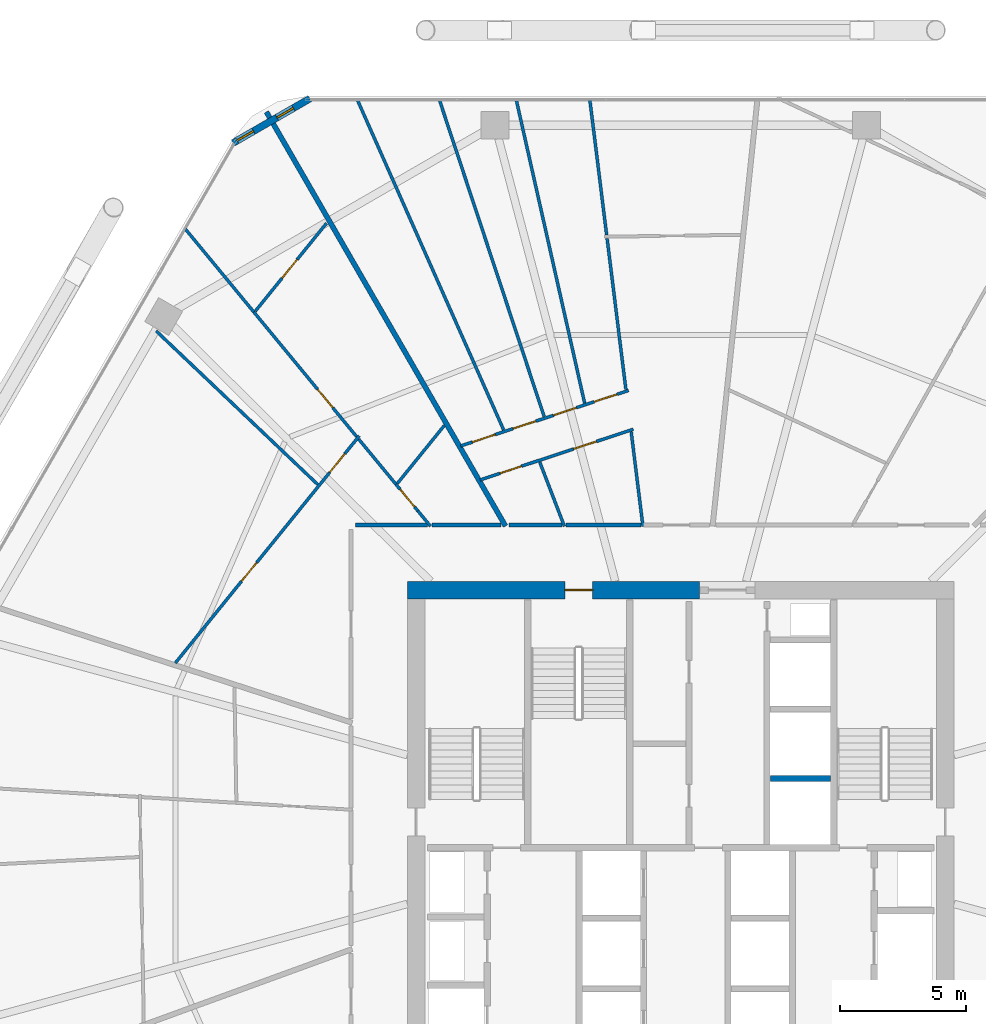
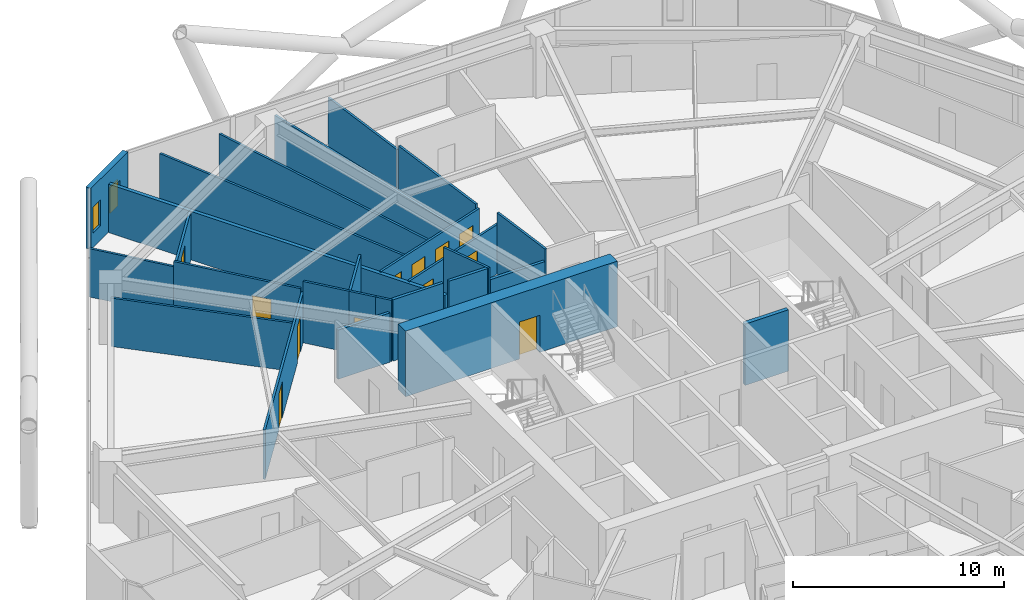
# One storey, part 29 of 34: 26 walls, 12 doors, 2 windows, 14 openings.
"""IFC4 building model written with IfcOpenShell, lengths in metres."""

from ifc_helpers import new_model, si_unit, direction, frame, frame_2d, origin, place, context, subcontext, project, spatial, rectangle, extrude, material, layer, layer_set, type_object, element, fill, save


model = new_model("IFC4")

# Units and contexts
model_context = context("Model", 3, precision=1e-05, world=origin(), true_north=direction((0.0, 1.0)))
body_context = subcontext(model_context, "Body", "Model", "MODEL_VIEW")
ifc_project = project(units=[si_unit("LENGTHUNIT", "METRE"), si_unit("AREAUNIT", "SQUARE_METRE"), si_unit("VOLUMEUNIT", "CUBIC_METRE"), si_unit("PLANEANGLEUNIT", "RADIAN"), si_unit("MASSUNIT", "GRAM", prefix="KILO")], contexts=[model_context])

# Site, building, storey
site_placement = place(None, origin())
site = spatial("IfcSite", under=ifc_project, at=site_placement, CompositionType="ELEMENT")
building_placement = place(site_placement, origin())
building = spatial("IfcBuilding", under=site, at=building_placement, Name="Zuhravey Tower", CompositionType="ELEMENT")
storey_placement = place(building_placement, frame((0.0, 0.0, 100.0)))
storey = spatial("IfcBuildingStorey", under=building, at=storey_placement, Name="L24", CompositionType="ELEMENT", Elevation=100.0)

# Wall, opening, door
ifc_material_1 = material(Name="Concrete C60/75", Category="concrete")
ifc_layer_1 = layer(ifc_material_1, 0.699951171875)
ifc_layer_set_1 = layer_set([ifc_layer_1], Name="Concrete C60/75")
wall_type_1 = type_object("IfcWallType", Name="Core Shear Wall 700", PredefinedType="SHEAR", material=ifc_layer_set_1)
wall_1_placement = place(storey_placement, frame((36.75, 41.5, 0.0), z_axis=(0.0, 0.0, 1.0), x_axis=(-1.0, 0.0, 0.0)))
wall_1 = element("IfcWall", 1, at=wall_1_placement, inside=storey, type_object=wall_type_1, Name="L24 North-West Core Shear Wall CW70", PredefinedType="SHEAR", context=body_context, shape_type="SweptSolid", body=[
    extrude(rectangle(XDim=11.60009765625, YDim=0.699951171875, at=frame_2d((5.800048828125, 0.0))), origin(), (0.0, 0.0, 1.0), 3.800048828125),
])
opening_1_placement = place(wall_1_placement, frame((4.25, 0.0, 0.0)))
opening_1 = element("IfcOpeningElement", 2, at=opening_1_placement, cuts=wall_1, Name="Opening STD1", PredefinedType="OPENING", context=body_context, shape_type="SweptSolid", body=[
    extrude(rectangle(XDim=1.10009765625, YDim=2.14990234375, at=frame_2d((0.550048828125, 1.074951171875))), frame((0.0, 0.362060546875, 0.0), z_axis=(0.0, -1.0, 0.0), x_axis=(1.0, 0.0, 0.0)), (0.0, 0.0, 1.0), 0.723876953125),
])
ifc_material_2 = material(Name="Galvanised fire-rated steel leaf", Category="steel")
door_type_1 = type_object("IfcDoorType", Name="Protected Stair Fire Door 1100x2150", OperationType="NOTDEFINED", PredefinedType="USERDEFINED", material=ifc_material_2)
door_1_placement = place(opening_1_placement, origin())
door_1 = element("IfcDoor", 3, at=door_1_placement, inside=storey, type_object=door_type_1, Name="L24 Stair ST3 Door", ObjectType="EXITDOOR", OperationType="SINGLE_SWING_RIGHT", OverallHeight=2.14990234375, OverallWidth=1.10009765625, PredefinedType="USERDEFINED", context=body_context, shape_type="SweptSolid", body=[
    extrude(rectangle(XDim=1.10009765625, YDim=2.14990234375, at=frame_2d((0.550048828125, 1.074951171875))), frame((0.0, 0.02490234375, 0.0), z_axis=(0.0, -1.0, 0.0), x_axis=(1.0, 0.0, 0.0)), (0.0, 0.0, 1.0), 0.050048828125),
])
fill(opening_1, door_1)

# Walls
ifc_material_3 = material(Name="Gypsum fire-rated stud partition")
ifc_layer_2 = layer(ifc_material_3, 0.159912109375)
ifc_layer_set_2 = layer_set([ifc_layer_2], Name="Gypsum fire-rated stud partition")
wall_type_2 = type_object("IfcWallType", Name="Corridor Fire Partition 160", PredefinedType="PARTITIONING", material=ifc_layer_set_2)
wall_2_placement = place(storey_placement, frame((34.427001953125, 44.080078125, 0.0), z_axis=(0.0, 0.0, 1.0), x_axis=(-1.0, 0.0, 0.0)))
element("IfcWall", 4, at=wall_2_placement, inside=storey, type_object=wall_type_2, Name="L24 IW16 Partition 122", PredefinedType="PARTITIONING", context=body_context, shape_type="SweptSolid", body=[
    extrude(rectangle(XDim=2.98828125, YDim=0.159912109375, at=frame_2d((1.494140625, 0.0))), origin(), (0.0, 0.0, 1.0), 2.85009765625),
])
wall_3_placement = place(storey_placement, frame((31.29296875, 44.080078125, 0.0), z_axis=(0.0, 0.0, 1.0), x_axis=(-1.0, 0.0, 0.0)))
element("IfcWall", 5, at=wall_3_placement, inside=storey, type_object=wall_type_2, Name="L24 IW16 Partition 123", PredefinedType="PARTITIONING", context=body_context, shape_type="SweptSolid", body=[
    extrude(rectangle(XDim=2.1044921875, YDim=0.159912109375, at=frame_2d((1.05224609375, 0.0))), origin(), (0.0, 0.0, 1.0), 3.550048828125),
])
wall_4_placement = place(storey_placement, frame((25.94677734375, 44.080078125, 0.0), z_axis=(0.0, 0.0, 1.0), x_axis=(-1.0, 0.0, 0.0)))
element("IfcWall", 6, at=wall_4_placement, inside=storey, type_object=wall_type_2, Name="L24 IW16 Partition 124", PredefinedType="PARTITIONING", context=body_context, shape_type="SweptSolid", body=[
    extrude(rectangle(XDim=2.8466796875, YDim=0.159912109375, at=frame_2d((1.42333984375, 0.0))), origin(), (0.0, 0.0, 1.0), 2.85009765625),
])
wall_5_placement = place(storey_placement, frame((28.861083984375, 44.080078125, 0.0), z_axis=(0.0, 0.0, 1.0), x_axis=(-1.0, 0.0, 0.0)))
element("IfcWall", 7, at=wall_5_placement, inside=storey, type_object=wall_type_2, Name="L24 IW16 Partition 125", PredefinedType="PARTITIONING", context=body_context, shape_type="SweptSolid", body=[
    extrude(rectangle(XDim=2.738037109375, YDim=0.159912109375, at=frame_2d((1.369140625, 0.0))), origin(), (0.0, 0.0, 1.0), 3.550048828125),
])

# Wall, openings, windows
ifc_material_4 = material(Name="Precast concrete C40/50", Category="concrete")
ifc_layer_3 = layer(ifc_material_4, 0.280029296875)
ifc_layer_set_3 = layer_set([ifc_layer_3], Name="Precast concrete C40/50")
wall_type_3 = type_object("IfcWallType", Name="Crown Architectural Wall 280", PredefinedType="SOLIDWALL", material=ifc_layer_set_3)
wall_6_placement = place(storey_placement, frame((18.23876953125, 59.24853515625, 0.0), z_axis=(0.0, 0.0, 1.0), x_axis=(0.866007452331, 0.500031091541, 0.0)))
wall_6 = element("IfcWall", 8, at=wall_6_placement, inside=storey, type_object=wall_type_3, Name="L24 Rounded Corner Closure Wall EW28-08", PredefinedType="SOLIDWALL", context=body_context, shape_type="SweptSolid", body=[
    extrude(rectangle(XDim=3.514892578125, YDim=0.280029296875, at=frame_2d((1.75732421875, 0.0))), origin(), (0.0, 0.0, 1.0), 3.550048828125),
])
opening_2_placement = place(wall_6_placement, frame((2.0087890625, 0.0, 0.85009765625)))
opening_2 = element("IfcOpeningElement", 9, at=opening_2_placement, cuts=wall_6, Name="Opening WN5", PredefinedType="OPENING", context=body_context, shape_type="SweptSolid", body=[
    extrude(rectangle(XDim=0.75, YDim=1.5, at=frame_2d((0.375, 0.75))), frame((0.0, 0.152099609375, 0.0), z_axis=(0.0, -1.0, 0.0), x_axis=(1.0, 0.0, 0.0)), (0.0, 0.0, 1.0), 0.303955078125),
])
opening_3_placement = place(wall_6_placement, frame((0.18212890625, 0.0, 0.85009765625)))
opening_3 = element("IfcOpeningElement", 10, at=opening_3_placement, cuts=wall_6, Name="Opening WN5", PredefinedType="OPENING", context=body_context, shape_type="SweptSolid", body=[
    extrude(rectangle(XDim=0.75, YDim=1.5, at=frame_2d((0.375, 0.75))), frame((0.0, 0.152099609375, 0.0), z_axis=(0.0, -1.0, 0.0), x_axis=(1.0, 0.0, 0.0)), (0.0, 0.0, 1.0), 0.303955078125),
])
ifc_material_5 = material(Name="Thermally broken aluminium and triple low-E glass", Category="aluminium")
window_type = type_object("IfcWindowType", Name="Residential Corner Casement Window 750x1500", PartitioningType="SINGLE_PANEL", PredefinedType="WINDOW", material=ifc_material_5)
window_1_placement = place(opening_2_placement, origin())
window_1 = element("IfcWindow", 11, at=window_1_placement, inside=storey, type_object=window_type, Name="L24 Corner Casement Window WN5-08.1", OverallHeight=1.5, OverallWidth=0.75, PartitioningType="SINGLE_PANEL", PredefinedType="WINDOW", context=body_context, shape_type="SweptSolid", body=[
    extrude(rectangle(XDim=0.75, YDim=1.5, at=frame_2d((0.375, 0.75))), frame((0.0, 0.030029296875, 0.0), z_axis=(0.0, -1.0, 0.0), x_axis=(1.0, 0.0, 0.0)), (0.0, 0.0, 1.0), 0.06005859375),
])
fill(opening_2, window_1)
window_2_placement = place(opening_3_placement, origin())
window_2 = element("IfcWindow", 12, at=window_2_placement, inside=storey, type_object=window_type, Name="L24 Corner Casement Window WN5-08.2", OverallHeight=1.5, OverallWidth=0.75, PartitioningType="SINGLE_PANEL", PredefinedType="WINDOW", context=body_context, shape_type="SweptSolid", body=[
    extrude(rectangle(XDim=0.75, YDim=1.5, at=frame_2d((0.375, 0.75))), frame((0.0, 0.030029296875, 0.0), z_axis=(0.0, -1.0, 0.0), x_axis=(1.0, 0.0, 0.0)), (0.0, 0.0, 1.0), 0.06005859375),
])
fill(opening_3, window_2)

# Walls
ifc_material_6 = material(Name="Gypsum double-stud party assembly")
ifc_layer_4 = layer(ifc_material_6, 0.199951171875)
ifc_layer_set_4 = layer_set([ifc_layer_4], Name="Gypsum double-stud party assembly")
wall_type_4 = type_object("IfcWallType", Name="Inter-Tenancy Party Wall 200", PredefinedType="PARTITIONING", material=ifc_layer_set_4)
wall_7_placement = place(storey_placement, frame((29.048583984375, 44.0400390625, 0.0), z_axis=(0.0, 0.0, 1.0), x_axis=(-0.499993398997, 0.866029214842, 0.0)))
element("IfcWall", 13, at=wall_7_placement, inside=storey, type_object=wall_type_4, Name="L24 IW20 Partition 089", PredefinedType="PARTITIONING", context=body_context, shape_type="SweptSolid", body=[
    extrude(rectangle(XDim=18.979736328125, YDim=0.199951171875, at=frame_2d((9.48974609375, 0.0))), origin(), (0.0, 0.0, 1.0), 2.800048828125),
])
ifc_material_7 = material(Name="Gypsum acoustic stud assembly")
ifc_layer_5 = layer(ifc_material_7, 0.219970703125)
ifc_layer_set_5 = layer_set([ifc_layer_5], Name="Gypsum acoustic stud assembly")
wall_type_5 = type_object("IfcWallType", Name="School Acoustic Compartment Wall 220", PredefinedType="PARTITIONING", material=ifc_layer_set_5)
wall_8_placement = place(storey_placement, frame((39.55810546875, 34.02490234375, 0.0), z_axis=(0.0, 0.0, 1.0), x_axis=(1.0, 0.0, 0.0)))
element("IfcWall", 14, at=wall_8_placement, inside=storey, type_object=wall_type_5, Name="L24 IW22 Partition 063", PredefinedType="PARTITIONING", context=body_context, shape_type="SweptSolid", body=[
    extrude(rectangle(XDim=2.3837890625, YDim=0.219970703125, at=frame_2d((1.19189453125, 0.0))), origin(), (0.0, 0.0, 1.0), 3.550048828125),
])

# Wall, openings, doors
ifc_material_8 = material(Name="Gypsum metal-stud partition")
ifc_layer_6 = layer(ifc_material_8, 0.1201171875)
ifc_layer_set_6 = layer_set([ifc_layer_6], Name="Gypsum metal-stud partition")
wall_type_6 = type_object("IfcWallType", Name="Unit Internal Partition 120", PredefinedType="PARTITIONING", material=ifc_layer_set_6)
wall_9_placement = place(storey_placement, frame((34.1220703125, 47.885498046875, 0.0), z_axis=(0.0, 0.0, 1.0), x_axis=(-0.949423400421, -0.313998736834, 0.0)))
wall_9 = element("IfcWall", 15, at=wall_9_placement, inside=storey, type_object=wall_type_6, Name="L24 IW12 Partition 032", PredefinedType="PARTITIONING", context=body_context, shape_type="SweptSolid", body=[
    extrude(rectangle(XDim=6.409912109375, YDim=0.1201171875, at=frame_2d((3.205078125, 0.0))), origin(), (0.0, 0.0, 1.0), 2.85009765625),
])
opening_4_placement = place(wall_9_placement, frame((1.54638671875, 0.0, 0.0)))
opening_4 = element("IfcOpeningElement", 16, at=opening_4_placement, cuts=wall_9, Name="Opening IND1", PredefinedType="OPENING", context=body_context, shape_type="SweptSolid", body=[
    extrude(rectangle(XDim=0.949951171875, YDim=2.10009765625, at=frame_2d((0.47509765625, 1.050048828125))), frame((0.0, 0.072021484375, 0.0), z_axis=(0.0, -1.0, 0.0), x_axis=(1.0, 0.0, 0.0)), (0.0, 0.0, 1.0), 0.14404296875),
])
opening_5_placement = place(wall_9_placement, frame((4.67431640625, 0.0, 0.0)))
opening_5 = element("IfcOpeningElement", 17, at=opening_5_placement, cuts=wall_9, Name="Opening WCD1", PredefinedType="OPENING", context=body_context, shape_type="SweptSolid", body=[
    extrude(rectangle(XDim=0.89990234375, YDim=2.10009765625, at=frame_2d((0.449951171875, 1.050048828125))), frame((0.0, 0.072021484375, 0.0), z_axis=(0.0, -1.0, 0.0), x_axis=(1.0, 0.0, 0.0)), (0.0, 0.0, 1.0), 0.14404296875),
])
ifc_material_9 = material(Name="Moisture-resistant timber leaf", Category="wood")
door_type_2 = type_object("IfcDoorType", Name="Bathroom & WC Internal Door 900x2100", OperationType="NOTDEFINED", PredefinedType="DOOR", material=ifc_material_9)
door_2_placement = place(opening_5_placement, origin())
door_2 = element("IfcDoor", 18, at=door_2_placement, inside=storey, type_object=door_type_2, Name="Apartment L24-03 Bathroom Door", OperationType="SINGLE_SWING_LEFT", OverallHeight=2.10009765625, OverallWidth=0.89990234375, PredefinedType="DOOR", context=body_context, shape_type="SweptSolid", body=[
    extrude(rectangle(XDim=0.89990234375, YDim=2.10009765625, at=frame_2d((0.449951171875, 1.050048828125))), frame((0.0, 0.02490234375, 0.0), z_axis=(0.0, -1.0, 0.0), x_axis=(1.0, 0.0, 0.0)), (0.0, 0.0, 1.0), 0.050048828125),
])
fill(opening_5, door_2)
ifc_material_10 = material(Name="Painted engineered timber leaf", Category="wood")
door_type_3 = type_object("IfcDoorType", Name="Internal Room & Bedroom Door 950x2100", OperationType="NOTDEFINED", PredefinedType="DOOR", material=ifc_material_10)
door_3_placement = place(opening_4_placement, origin())
door_3 = element("IfcDoor", 19, at=door_3_placement, inside=storey, type_object=door_type_3, Name="Apartment L24-03 Kitchen Door", OperationType="SINGLE_SWING_RIGHT", OverallHeight=2.10009765625, OverallWidth=0.949951171875, PredefinedType="DOOR", context=body_context, shape_type="SweptSolid", body=[
    extrude(rectangle(XDim=0.949951171875, YDim=2.10009765625, at=frame_2d((0.47509765625, 1.050048828125))), frame((0.0, 0.02490234375, 0.0), z_axis=(0.0, -1.0, 0.0), x_axis=(1.0, 0.0, 0.0)), (0.0, 0.0, 1.0), 0.050048828125),
])
fill(opening_4, door_3)

wall_10_placement = place(storey_placement, frame((33.9306640625, 49.423095703125, 0.0), z_axis=(0.0, 0.0, 1.0), x_axis=(-0.949429209045, -0.313981173023, 0.0)))
wall_10 = element("IfcWall", 20, at=wall_10_placement, inside=storey, type_object=wall_type_6, Name="L24 IW12 Partition 033", PredefinedType="PARTITIONING", context=body_context, shape_type="SweptSolid", body=[
    extrude(rectangle(XDim=7.011962890625, YDim=0.1201171875, at=frame_2d((3.505859375, 0.0))), origin(), (0.0, 0.0, 1.0), 2.85009765625),
])
opening_6_placement = place(wall_10_placement, frame((0.485107421875, 0.0, 0.0)))
opening_6 = element("IfcOpeningElement", 21, at=opening_6_placement, cuts=wall_10, Name="Opening IND1", PredefinedType="OPENING", context=body_context, shape_type="SweptSolid", body=[
    extrude(rectangle(XDim=0.949951171875, YDim=2.10009765625, at=frame_2d((0.47509765625, 1.050048828125))), frame((0.0, 0.072021484375, 0.0), z_axis=(0.0, -1.0, 0.0), x_axis=(1.0, 0.0, 0.0)), (0.0, 0.0, 1.0), 0.14404296875),
])
opening_7_placement = place(wall_10_placement, frame((2.18798828125, 0.0, 0.0)))
opening_7 = element("IfcOpeningElement", 22, at=opening_7_placement, cuts=wall_10, Name="Opening IND1", PredefinedType="OPENING", context=body_context, shape_type="SweptSolid", body=[
    extrude(rectangle(XDim=0.949951171875, YDim=2.10009765625, at=frame_2d((0.47509765625, 1.050048828125))), frame((0.0, 0.072021484375, 0.0), z_axis=(0.0, -1.0, 0.0), x_axis=(1.0, 0.0, 0.0)), (0.0, 0.0, 1.0), 0.14404296875),
])
opening_8_placement = place(wall_10_placement, frame((3.8740234375, 0.0, 0.0)))
opening_8 = element("IfcOpeningElement", 23, at=opening_8_placement, cuts=wall_10, Name="Opening IND1", PredefinedType="OPENING", context=body_context, shape_type="SweptSolid", body=[
    extrude(rectangle(XDim=0.949951171875, YDim=2.10009765625, at=frame_2d((0.47509765625, 1.050048828125))), frame((0.0, 0.072021484375, 0.0), z_axis=(0.0, -1.0, 0.0), x_axis=(1.0, 0.0, 0.0)), (0.0, 0.0, 1.0), 0.14404296875),
])
opening_9_placement = place(wall_10_placement, frame((5.576904296875, 0.0, 0.0)))
opening_9 = element("IfcOpeningElement", 24, at=opening_9_placement, cuts=wall_10, Name="Opening IND1", PredefinedType="OPENING", context=body_context, shape_type="SweptSolid", body=[
    extrude(rectangle(XDim=0.949951171875, YDim=2.10009765625, at=frame_2d((0.47509765625, 1.050048828125))), frame((0.0, 0.072021484375, 0.0), z_axis=(0.0, -1.0, 0.0), x_axis=(1.0, 0.0, 0.0)), (0.0, 0.0, 1.0), 0.14404296875),
])
door_4_placement = place(opening_6_placement, frame((0.949951171875, 0.0, 0.0), z_axis=(0.0, 0.0, 1.0), x_axis=(-1.0, 0.0, 0.0)))
door_4 = element("IfcDoor", 25, at=door_4_placement, inside=storey, type_object=door_type_3, Name="Apartment L24-03 Bedroom 1 Door", OperationType="SINGLE_SWING_RIGHT", OverallHeight=2.10009765625, OverallWidth=0.949951171875, PredefinedType="DOOR", context=body_context, shape_type="SweptSolid", body=[
    extrude(rectangle(XDim=0.949951171875, YDim=2.10009765625, at=frame_2d((0.47509765625, 1.050048828125))), frame((0.0, 0.02490234375, 0.0), z_axis=(0.0, -1.0, 0.0), x_axis=(1.0, 0.0, 0.0)), (0.0, 0.0, 1.0), 0.050048828125),
])
fill(opening_6, door_4)
door_5_placement = place(opening_7_placement, frame((0.949951171875, 0.0, 0.0), z_axis=(0.0, 0.0, 1.0), x_axis=(-1.0, 0.0, 0.0)))
door_5 = element("IfcDoor", 26, at=door_5_placement, inside=storey, type_object=door_type_3, Name="Apartment L24-03 Bedroom 2 Door", OperationType="SINGLE_SWING_LEFT", OverallHeight=2.10009765625, OverallWidth=0.949951171875, PredefinedType="DOOR", context=body_context, shape_type="SweptSolid", body=[
    extrude(rectangle(XDim=0.949951171875, YDim=2.10009765625, at=frame_2d((0.47509765625, 1.050048828125))), frame((0.0, 0.02490234375, 0.0), z_axis=(0.0, -1.0, 0.0), x_axis=(1.0, 0.0, 0.0)), (0.0, 0.0, 1.0), 0.050048828125),
])
fill(opening_7, door_5)
door_6_placement = place(opening_8_placement, frame((0.949951171875, 0.0, 0.0), z_axis=(0.0, 0.0, 1.0), x_axis=(-1.0, 0.0, 0.0)))
door_6 = element("IfcDoor", 27, at=door_6_placement, inside=storey, type_object=door_type_3, Name="Apartment L24-03 Bedroom 3 Door", OperationType="SINGLE_SWING_RIGHT", OverallHeight=2.10009765625, OverallWidth=0.949951171875, PredefinedType="DOOR", context=body_context, shape_type="SweptSolid", body=[
    extrude(rectangle(XDim=0.949951171875, YDim=2.10009765625, at=frame_2d((0.47509765625, 1.050048828125))), frame((0.0, 0.02490234375, 0.0), z_axis=(0.0, -1.0, 0.0), x_axis=(1.0, 0.0, 0.0)), (0.0, 0.0, 1.0), 0.050048828125),
])
fill(opening_8, door_6)
door_7_placement = place(opening_9_placement, frame((0.949951171875, 0.0, 0.0), z_axis=(0.0, 0.0, 1.0), x_axis=(-1.0, 0.0, 0.0)))
door_7 = element("IfcDoor", 28, at=door_7_placement, inside=storey, type_object=door_type_3, Name="Apartment L24-03 Bedroom 4 Door", OperationType="SINGLE_SWING_LEFT", OverallHeight=2.10009765625, OverallWidth=0.949951171875, PredefinedType="DOOR", context=body_context, shape_type="SweptSolid", body=[
    extrude(rectangle(XDim=0.949951171875, YDim=2.10009765625, at=frame_2d((0.47509765625, 1.050048828125))), frame((0.0, 0.02490234375, 0.0), z_axis=(0.0, -1.0, 0.0), x_axis=(1.0, 0.0, 0.0)), (0.0, 0.0, 1.0), 0.050048828125),
])
fill(opening_9, door_7)

wall_11_placement = place(storey_placement, frame((23.24365234375, 47.620849609375, 0.0), z_axis=(0.0, 0.0, 1.0), x_axis=(-0.629321725732, -0.777144880651, 0.0)))
wall_11 = element("IfcWall", 29, at=wall_11_placement, inside=storey, type_object=wall_type_6, Name="L24 IW12 Partition 035", PredefinedType="PARTITIONING", context=body_context, shape_type="SweptSolid", body=[
    extrude(rectangle(XDim=11.6005859375, YDim=0.1201171875, at=frame_2d((5.80029296875, 0.0))), origin(), (0.0, 0.0, 1.0), 2.85009765625),
])
opening_10_placement = place(wall_11_placement, frame((0.916259765625, 0.0, 0.0)))
opening_10 = element("IfcOpeningElement", 30, at=opening_10_placement, cuts=wall_11, Name="Opening IND1", PredefinedType="OPENING", context=body_context, shape_type="SweptSolid", body=[
    extrude(rectangle(XDim=0.949951171875, YDim=2.10009765625, at=frame_2d((0.47509765625, 1.050048828125))), frame((0.0, 0.072021484375, 0.0), z_axis=(0.0, -1.0, 0.0), x_axis=(1.0, 0.0, 0.0)), (0.0, 0.0, 1.0), 0.14404296875),
])
opening_11_placement = place(wall_11_placement, frame((6.476318359375, 0.0, 0.0)))
opening_11 = element("IfcOpeningElement", 31, at=opening_11_placement, cuts=wall_11, Name="Opening IND1", PredefinedType="OPENING", context=body_context, shape_type="SweptSolid", body=[
    extrude(rectangle(XDim=0.949951171875, YDim=2.10009765625, at=frame_2d((0.47509765625, 1.050048828125))), frame((0.0, 0.072021484375, 0.0), z_axis=(0.0, -1.0, 0.0), x_axis=(1.0, 0.0, 0.0)), (0.0, 0.0, 1.0), 0.14404296875),
])
door_8_placement = place(opening_10_placement, frame((0.949951171875, 0.0, 0.0), z_axis=(0.0, 0.0, 1.0), x_axis=(-1.0, 0.0, 0.0)))
door_8 = element("IfcDoor", 32, at=door_8_placement, inside=storey, type_object=door_type_3, Name="Apartment L24-04 Family Study Door", OperationType="SINGLE_SWING_LEFT", OverallHeight=2.10009765625, OverallWidth=0.949951171875, PredefinedType="DOOR", context=body_context, shape_type="SweptSolid", body=[
    extrude(rectangle(XDim=0.949951171875, YDim=2.10009765625, at=frame_2d((0.47509765625, 1.050048828125))), frame((0.0, 0.02490234375, 0.0), z_axis=(0.0, -1.0, 0.0), x_axis=(1.0, 0.0, 0.0)), (0.0, 0.0, 1.0), 0.050048828125),
])
fill(opening_10, door_8)
door_9_placement = place(opening_11_placement, frame((0.949951171875, 0.0, 0.0), z_axis=(0.0, 0.0, 1.0), x_axis=(-1.0, 0.0, 0.0)))
door_9 = element("IfcDoor", 33, at=door_9_placement, inside=storey, type_object=door_type_3, Name="Apartment L24-04 Dining Room Door", OperationType="SINGLE_SWING_RIGHT", OverallHeight=2.10009765625, OverallWidth=0.949951171875, PredefinedType="DOOR", context=body_context, shape_type="SweptSolid", body=[
    extrude(rectangle(XDim=0.949951171875, YDim=2.10009765625, at=frame_2d((0.47509765625, 1.050048828125))), frame((0.0, 0.02490234375, 0.0), z_axis=(0.0, -1.0, 0.0), x_axis=(1.0, 0.0, 0.0)), (0.0, 0.0, 1.0), 0.050048828125),
])
fill(opening_11, door_9)

# Wall, opening, door
wall_12_placement = place(storey_placement, frame((25.564697265625, 44.64990234375, 0.0), z_axis=(0.0, 0.0, 1.0), x_axis=(-0.636278938951, 0.771459079827, 0.0)))
wall_12 = element("IfcWall", 34, at=wall_12_placement, inside=storey, type_object=wall_type_6, Name="L24 IW12 Partition 036", PredefinedType="PARTITIONING", context=body_context, shape_type="SweptSolid", body=[
    extrude(rectangle(XDim=1.36181640625, YDim=0.1201171875, at=frame_2d((0.680908203125, 0.0))), origin(), (0.0, 0.0, 1.0), 3.550048828125),
])
opening_12_placement = place(wall_12_placement, frame((0.199951171875, 0.0, 0.0)))
opening_12 = element("IfcOpeningElement", 35, at=opening_12_placement, cuts=wall_12, Name="Opening WCD1", PredefinedType="OPENING", context=body_context, shape_type="SweptSolid", body=[
    extrude(rectangle(XDim=0.89990234375, YDim=2.10009765625, at=frame_2d((0.449951171875, 1.050048828125))), frame((0.0, 0.072021484375, 0.0), z_axis=(0.0, -1.0, 0.0), x_axis=(1.0, 0.0, 0.0)), (0.0, 0.0, 1.0), 0.14404296875),
])
door_10_placement = place(opening_12_placement, frame((0.89990234375, 0.0, 0.0), z_axis=(0.0, 0.0, 1.0), x_axis=(-1.0, 0.0, 0.0)))
door_10 = element("IfcDoor", 36, at=door_10_placement, inside=storey, type_object=door_type_2, Name="Apartment L24-04 Bathroom Door", OperationType="SINGLE_SWING_LEFT", OverallHeight=2.10009765625, OverallWidth=0.89990234375, PredefinedType="DOOR", context=body_context, shape_type="SweptSolid", body=[
    extrude(rectangle(XDim=0.89990234375, YDim=2.10009765625, at=frame_2d((0.449951171875, 1.050048828125))), frame((0.0, 0.02490234375, 0.0), z_axis=(0.0, -1.0, 0.0), x_axis=(1.0, 0.0, 0.0)), (0.0, 0.0, 1.0), 0.050048828125),
])
fill(opening_12, door_10)

# Wall
wall_13_placement = place(storey_placement, frame((24.6982421875, 45.700439453125, 0.0), z_axis=(0.0, 0.0, 1.0), x_axis=(-0.636404893794, 0.771355178342, 0.0)))
element("IfcWall", 37, at=wall_13_placement, inside=storey, type_object=wall_type_6, Name="L24 IW12 Partition 037", PredefinedType="PARTITIONING", context=body_context, shape_type="SweptSolid", body=[
    extrude(rectangle(XDim=2.3173828125, YDim=0.1201171875, at=frame_2d((1.15869140625, 0.0))), origin(), (0.0, 0.0, 1.0), 3.550048828125),
])

# Wall, opening, door
wall_14_placement = place(storey_placement, frame((23.13525390625, 47.59521484375, 0.0), z_axis=(0.0, 0.0, 1.0), x_axis=(-0.636375017003, 0.77137982715, 0.0)))
wall_14 = element("IfcWall", 38, at=wall_14_placement, inside=storey, type_object=wall_type_6, Name="L24 IW12 Partition 038", PredefinedType="PARTITIONING", context=body_context, shape_type="SweptSolid", body=[
    extrude(rectangle(XDim=6.4052734375, YDim=0.1201171875, at=frame_2d((3.20263671875, 0.0))), origin(), (0.0, 0.0, 1.0), 3.10009765625),
])
opening_13_placement = place(wall_14_placement, frame((1.474365234375, 0.0, 0.0)))
opening_13 = element("IfcOpeningElement", 39, at=opening_13_placement, cuts=wall_14, Name="Opening IND1", PredefinedType="OPENING", context=body_context, shape_type="SweptSolid", body=[
    extrude(rectangle(XDim=0.949951171875, YDim=2.10009765625, at=frame_2d((0.47509765625, 1.050048828125))), frame((0.0, 0.072021484375, 0.0), z_axis=(0.0, -1.0, 0.0), x_axis=(1.0, 0.0, 0.0)), (0.0, 0.0, 1.0), 0.14404296875),
])
door_11_placement = place(opening_13_placement, frame((0.949951171875, 0.0, 0.0), z_axis=(0.0, 0.0, 1.0), x_axis=(-1.0, 0.0, 0.0)))
door_11 = element("IfcDoor", 40, at=door_11_placement, inside=storey, type_object=door_type_3, Name="Apartment L24-04 Home Office Door", OperationType="SINGLE_SWING_RIGHT", OverallHeight=2.10009765625, OverallWidth=0.949951171875, PredefinedType="DOOR", context=body_context, shape_type="SweptSolid", body=[
    extrude(rectangle(XDim=0.949951171875, YDim=2.10009765625, at=frame_2d((0.47509765625, 1.050048828125))), frame((0.0, 0.02490234375, 0.0), z_axis=(0.0, -1.0, 0.0), x_axis=(1.0, 0.0, 0.0)), (0.0, 0.0, 1.0), 0.050048828125),
])
fill(opening_13, door_11)

wall_15_placement = place(storey_placement, frame((21.944091796875, 56.05908203125, 0.0), z_axis=(0.0, 0.0, 1.0), x_axis=(-0.629293659157, -0.777167607756, 0.0)))
wall_15 = element("IfcWall", 41, at=wall_15_placement, inside=storey, type_object=wall_type_6, Name="L24 IW12 Partition 039", PredefinedType="PARTITIONING", context=body_context, shape_type="SweptSolid", body=[
    extrude(rectangle(XDim=4.489013671875, YDim=0.1201171875, at=frame_2d((2.24462890625, 0.0))), origin(), (0.0, 0.0, 1.0), 2.800048828125),
])
opening_14_placement = place(wall_15_placement, frame((1.855224609375, 0.0, 0.0)))
opening_14 = element("IfcOpeningElement", 42, at=opening_14_placement, cuts=wall_15, Name="Opening IND1", PredefinedType="OPENING", context=body_context, shape_type="SweptSolid", body=[
    extrude(rectangle(XDim=0.949951171875, YDim=2.10009765625, at=frame_2d((0.47509765625, 1.050048828125))), frame((0.0, 0.072021484375, 0.0), z_axis=(0.0, -1.0, 0.0), x_axis=(1.0, 0.0, 0.0)), (0.0, 0.0, 1.0), 0.14404296875),
])
door_12_placement = place(opening_14_placement, frame((0.949951171875, 0.0, 0.0), z_axis=(0.0, 0.0, 1.0), x_axis=(-1.0, 0.0, 0.0)))
door_12 = element("IfcDoor", 43, at=door_12_placement, inside=storey, type_object=door_type_3, Name="Apartment L24-04 Bedroom 1 Door", OperationType="SINGLE_SWING_LEFT", OverallHeight=2.10009765625, OverallWidth=0.949951171875, PredefinedType="DOOR", context=body_context, shape_type="SweptSolid", body=[
    extrude(rectangle(XDim=0.949951171875, YDim=2.10009765625, at=frame_2d((0.47509765625, 1.050048828125))), frame((0.0, 0.02490234375, 0.0), z_axis=(0.0, -1.0, 0.0), x_axis=(1.0, 0.0, 0.0)), (0.0, 0.0, 1.0), 0.050048828125),
])
fill(opening_14, door_12)

# Walls
wall_16_placement = place(storey_placement, frame((31.385009765625, 44.030029296875, 0.0), z_axis=(0.0, 0.0, 1.0), x_axis=(-0.35815382697, 0.933662592282, 0.0)))
element("IfcWall", 44, at=wall_16_placement, inside=storey, type_object=wall_type_6, Name="L24 IW12 Partition 082", PredefinedType="PARTITIONING", context=body_context, shape_type="SweptSolid", body=[
    extrude(rectangle(XDim=2.736083984375, YDim=0.1201171875, at=frame_2d((1.3681640625, 0.0))), origin(), (0.0, 0.0, 1.0), 3.550048828125),
])
wall_17_placement = place(storey_placement, frame((32.1875, 48.918212890625, 0.0), z_axis=(0.0, 0.0, 1.0), x_axis=(-0.2198592635, 0.975531600848, 0.0)))
element("IfcWall", 45, at=wall_17_placement, inside=storey, type_object=wall_type_6, Name="L24 IW12 Partition 083", PredefinedType="PARTITIONING", context=body_context, shape_type="SweptSolid", body=[
    extrude(rectangle(XDim=12.3525390625, YDim=0.1201171875, at=frame_2d((6.17626953125, 0.0))), origin(), (0.0, 0.0, 1.0), 2.800048828125),
])
wall_18_placement = place(storey_placement, frame((30.58056640625, 48.38671875, 0.0), z_axis=(0.0, 0.0, 1.0), x_axis=(-0.31398296165, 0.949428617534, 0.0)))
element("IfcWall", 46, at=wall_18_placement, inside=storey, type_object=wall_type_6, Name="L24 IW12 Partition 084", PredefinedType="PARTITIONING", context=body_context, shape_type="SweptSolid", body=[
    extrude(rectangle(XDim=13.251953125, YDim=0.1201171875, at=frame_2d((6.6259765625, 0.0))), origin(), (0.0, 0.0, 1.0), 2.800048828125),
])
wall_19_placement = place(storey_placement, frame((28.973876953125, 47.85546875, 0.0), z_axis=(0.0, 0.0, 1.0), x_axis=(-0.405149568186, 0.91425041832, 0.0)))
element("IfcWall", 47, at=wall_19_placement, inside=storey, type_object=wall_type_6, Name="L24 IW12 Partition 085", PredefinedType="PARTITIONING", context=body_context, shape_type="SweptSolid", body=[
    extrude(rectangle(XDim=14.343017578125, YDim=0.1201171875, at=frame_2d((7.17138671875, 0.0))), origin(), (0.0, 0.0, 1.0), 2.800048828125),
])
wall_20_placement = place(storey_placement, frame((34.501708984375, 44.0302734375, 0.0), z_axis=(0.0, 0.0, 1.0), x_axis=(-0.123637622929, 0.992327434971, 0.0)))
element("IfcWall", 48, at=wall_20_placement, inside=storey, type_object=wall_type_6, Name="L24 IW12 Partition 086", PredefinedType="PARTITIONING", context=body_context, shape_type="SweptSolid", body=[
    extrude(rectangle(XDim=3.783447265625, YDim=0.1201171875, at=frame_2d((1.8916015625, 0.0))), origin(), (0.0, 0.0, 1.0), 3.550048828125),
])
wall_21_placement = place(storey_placement, frame((33.8251953125, 49.4599609375, 0.0), z_axis=(0.0, 0.0, 1.0), x_axis=(-0.123607162853, 0.992331229626, 0.0)))
element("IfcWall", 49, at=wall_21_placement, inside=storey, type_object=wall_type_6, Name="L24 IW12 Partition 087", PredefinedType="PARTITIONING", context=body_context, shape_type="SweptSolid", body=[
    extrude(rectangle(XDim=6.0439453125, YDim=0.1201171875, at=frame_2d((3.02197265625, 0.0))), origin(), (0.0, 0.0, 1.0), 3.10009765625),
])
wall_22_placement = place(storey_placement, frame((33.061279296875, 55.593505859375, 0.0), z_axis=(0.0, 0.0, 1.0), x_axis=(-0.12359092377, 0.99233325227, 0.0)))
element("IfcWall", 50, at=wall_22_placement, inside=storey, type_object=wall_type_6, Name="L24 IW12 Partition 088", PredefinedType="PARTITIONING", context=body_context, shape_type="SweptSolid", body=[
    extrude(rectangle(XDim=5.41650390625, YDim=0.1201171875, at=frame_2d((2.708251953125, 0.0))), origin(), (0.0, 0.0, 1.0), 2.800048828125),
])
wall_23_placement = place(storey_placement, frame((21.593994140625, 45.69189453125, 0.0), z_axis=(0.0, 0.0, 1.0), x_axis=(-0.724829920805, 0.688927852467, 0.0)))
element("IfcWall", 51, at=wall_23_placement, inside=storey, type_object=wall_type_6, Name="L24 IW12 Partition 090", PredefinedType="PARTITIONING", context=body_context, shape_type="SweptSolid", body=[
    extrude(rectangle(XDim=8.846923828125, YDim=0.1201171875, at=frame_2d((4.42333984375, 0.0))), origin(), (0.0, 0.0, 1.0), 2.800048828125),
])
wall_24_placement = place(storey_placement, frame((26.072021484375, 44.034912109375, 0.0), z_axis=(0.0, 0.0, 1.0), x_axis=(-0.636351066899, 0.771399584947, 0.0)))
element("IfcWall", 52, at=wall_24_placement, inside=storey, type_object=wall_type_6, Name="L24 IW12 Partition 091", PredefinedType="PARTITIONING", context=body_context, shape_type="SweptSolid", body=[
    extrude(rectangle(XDim=0.797119140625, YDim=0.1201171875, at=frame_2d((0.3984375, 0.0))), origin(), (0.0, 0.0, 1.0), 3.550048828125),
])
wall_25_placement = place(storey_placement, frame((19.05908203125, 52.5361328125, 0.0), z_axis=(0.0, 0.0, 1.0), x_axis=(-0.636324617316, 0.771421403254, 0.0)))
element("IfcWall", 53, at=wall_25_placement, inside=storey, type_object=wall_type_6, Name="L24 IW12 Partition 092", PredefinedType="PARTITIONING", context=body_context, shape_type="SweptSolid", body=[
    extrude(rectangle(XDim=4.295654296875, YDim=0.1201171875, at=frame_2d((2.14794921875, 0.0))), origin(), (0.0, 0.0, 1.0), 2.800048828125),
])
wall_26_placement = place(storey_placement, frame((26.618896484375, 48.03271484375, 0.0), z_axis=(0.0, 0.0, 1.0), x_axis=(-0.629295602894, -0.777166033855, 0.0)))
element("IfcWall", 54, at=wall_26_placement, inside=storey, type_object=wall_type_6, Name="L24 IW12 Partition 093", PredefinedType="PARTITIONING", context=body_context, shape_type="SweptSolid", body=[
    extrude(rectangle(XDim=2.95703125, YDim=0.1201171875, at=frame_2d((1.478515625, 0.0))), origin(), (0.0, 0.0, 1.0), 3.550048828125),
])

save(model, "model.ifc")
